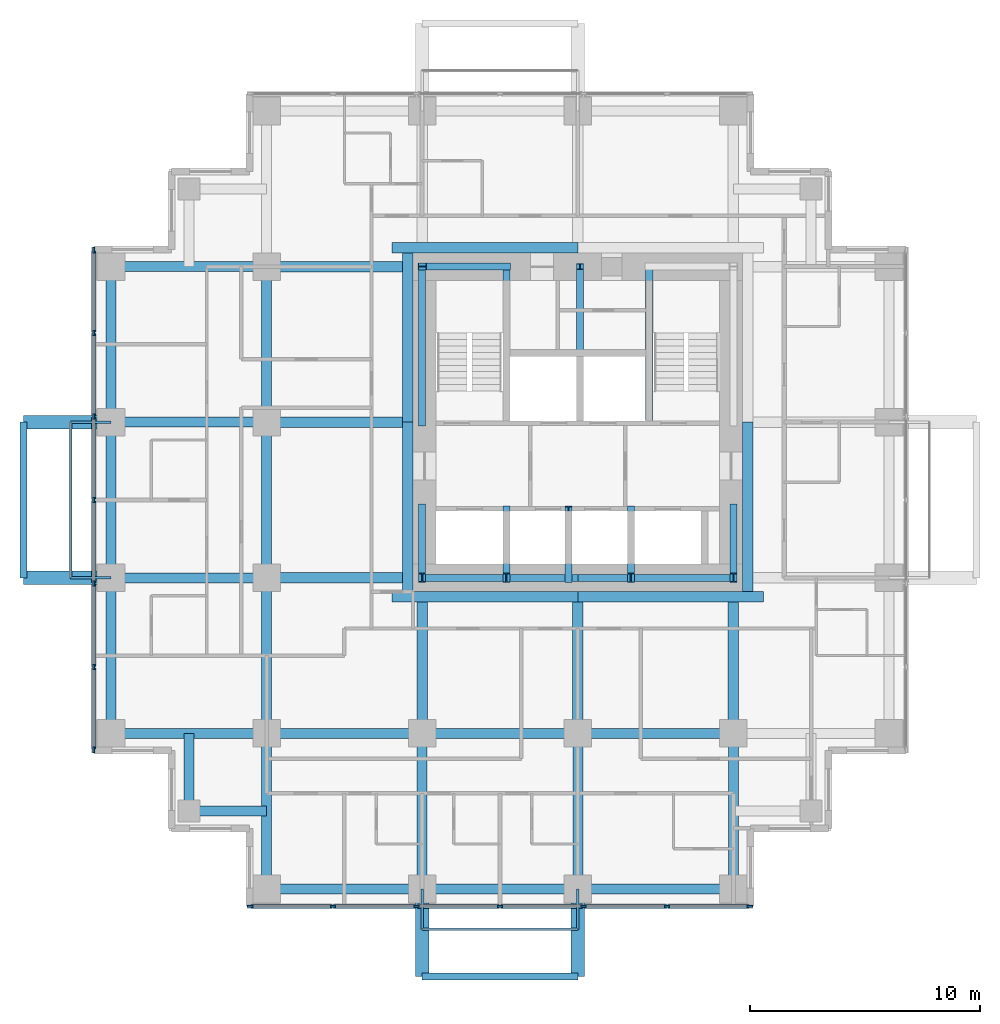
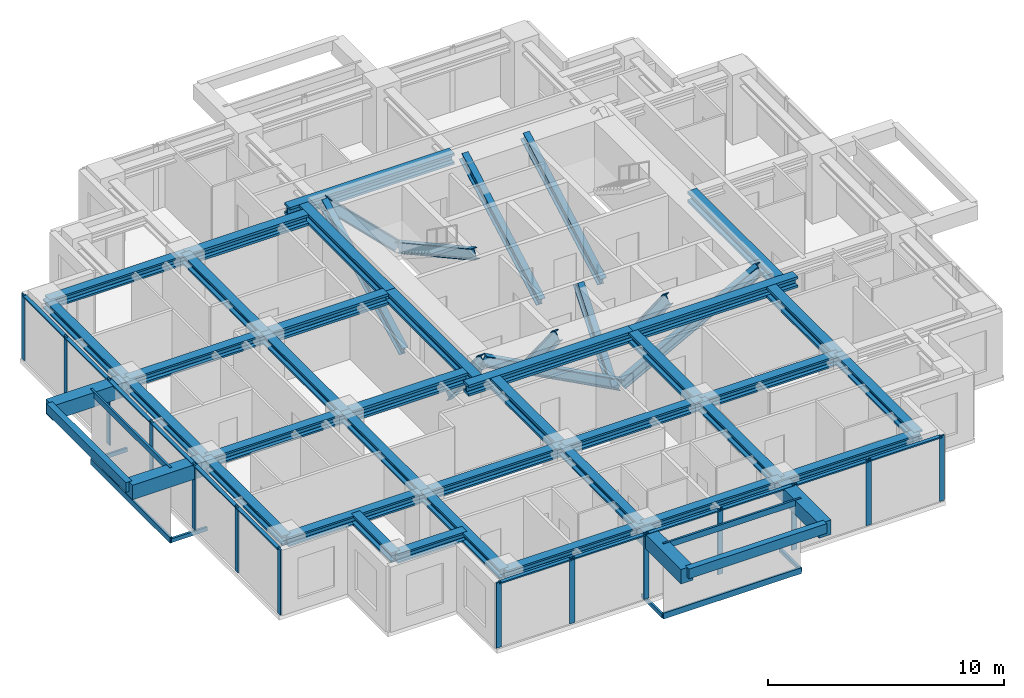
# One storey, part 2 of 10: 46 members, 40 beams, 2 elements without a shape of their own.
"""IFC4 building model written with IfcOpenShell, lengths in metres."""

from ifc_helpers import new_model, si_unit, direction, frame, origin, origin_2d, place, context, subcontext, project, spatial, rectangle, hollow_rectangle, i_section, extrude, material, material_profile, profile_set, type_object, element, aggregate, save


model = new_model("IFC4")

# Units and contexts
model_context = context("Model", 3, precision=1e-05, world=origin(), true_north=direction((0.0, 1.0)))
body_context = subcontext(model_context, "Body", "Model", "MODEL_VIEW")
ifc_project = project(units=[si_unit("LENGTHUNIT", "METRE"), si_unit("AREAUNIT", "SQUARE_METRE"), si_unit("VOLUMEUNIT", "CUBIC_METRE"), si_unit("PLANEANGLEUNIT", "RADIAN"), si_unit("MASSUNIT", "GRAM", prefix="KILO")], contexts=[model_context])

# Site, building, storey
site_placement = place(None, origin())
site = spatial("IfcSite", under=ifc_project, at=site_placement, CompositionType="ELEMENT")
building_placement = place(site_placement, origin())
building = spatial("IfcBuilding", under=site, at=building_placement, Name="Nyansa Garden Tower", CompositionType="ELEMENT")
storey_placement = place(building_placement, frame((0.0, 0.0, 174.60009765625)))
storey = spatial("IfcBuildingStorey", under=building, at=storey_placement, Name="L47", CompositionType="ELEMENT", Elevation=174.60009765625)

# Beams
ifc_material_1 = material(Name="Concrete C70/85", Category="concrete")
ifc_material_profile_1 = material_profile(ifc_material_1, rectangle(XDim=0.60009765625, YDim=0.75, at=origin_2d()), Name="RC 600x750")
ifc_profile_set_1 = profile_set([ifc_material_profile_1], Name="Concrete C70/85")
beam_type_1 = type_object("IfcBeamType", Name="Balcony cantilever beam CB1 RC 600x750", PredefinedType="BEAM", material=ifc_profile_set_1)
for number, where, z_axis, x_axis, name in (
    (1, (13.5, 0.0, 2.98486328125), (0.0, -1.0, 0.0), (1.0, 0.0, 0.0), "Balcony cantilever beam L48"),
    (2, (20.25, 0.0, 2.98486328125), (0.0, -1.0, 0.0), (1.0, 0.0, 0.0), "Balcony cantilever beam L48"),
    (3, (0.0, 13.5, 2.98486328125), (-1.0, 0.0, 0.0), (0.0, -1.0, 0.0), "Balcony cantilever beam L48"),
    (4, (0.0, 20.25, 2.98486328125), (-1.0, 0.0, 0.0), (0.0, -1.0, 0.0), "Balcony cantilever beam L48"),
):
    element("IfcBeam", number, at=place(storey_placement, frame(where, z_axis=z_axis, x_axis=x_axis)), inside=storey, type_object=beam_type_1, Name=name, PredefinedType="BEAM", context=body_context, shape_type="SweptSolid", body=[
        extrude(rectangle(XDim=0.60009765625, YDim=0.75, at=origin_2d()), origin(), (0.0, 0.0, 1.0), 3.800048828125),
    ])
ifc_material_2 = material(Name="Concrete C70/85", Category="concrete")
ifc_material_profile_2 = material_profile(ifc_material_2, rectangle(XDim=0.300048828125, YDim=0.5, at=origin_2d()), Name="RC 300x500")
ifc_profile_set_2 = profile_set([ifc_material_profile_2], Name="Concrete C70/85")
beam_type_2 = type_object("IfcBeamType", Name="Balcony edge beam BE1 RC 300x500", PredefinedType="BEAM", material=ifc_profile_set_2)
for number, where, z_axis, x_axis, name in (
    (5, (13.5, -3.800048828125, 3.10986328125), (1.0, 0.0, 0.0), (0.0, 1.0, 0.0), "Balcony edge beam L48"),
    (6, (-3.800048828125, 13.5, 3.10986328125), (0.0, 1.0, 0.0), (-1.0, 0.0, 0.0), "Balcony edge beam L48"),
):
    element("IfcBeam", number, at=place(storey_placement, frame(where, z_axis=z_axis, x_axis=x_axis)), inside=storey, type_object=beam_type_2, Name=name, PredefinedType="BEAM", context=body_context, shape_type="SweptSolid", body=[
        extrude(rectangle(XDim=0.300048828125, YDim=0.5, at=origin_2d()), origin(), (0.0, 0.0, 1.0), 6.75),
    ])

# Curtain wall, members
ifc_material_3 = material(Name="Black anodised aluminium, dark tinted double glazing", Category="aluminium")
curtain_wall_type = type_object("IfcCurtainWallType", Name="Inner skin curtain wall ISW-C", PredefinedType="USERDEFINED", material=ifc_material_3)
curtain_wall_1_placement = place(storey_placement, origin())
curtain_wall_1 = element("IfcCurtainWall", 7, at=curtain_wall_1_placement, inside=storey, type_object=curtain_wall_type, Name="Inner skin curtain wall L47 W", ObjectType="UNITISED CURTAIN WALL", PredefinedType="USERDEFINED")
ifc_material_4 = material(Name="Black anodised aluminium", Category="aluminium")
ifc_material_profile_3 = material_profile(ifc_material_4, rectangle(XDim=0.070068359375, YDim=0.25, at=origin_2d()), Name="Mullion 250x70")
ifc_profile_set_3 = profile_set([ifc_material_profile_3], Name="Black anodised aluminium")
member_type_1 = type_object("IfcMemberType", Name="Mullion ISW-C 250x70", PredefinedType="MULLION", material=ifc_profile_set_3)
member_1_placement = place(storey_placement, frame((-0.75, 27.715087890625, 0.0), z_axis=(0.0, 0.0, 1.0), x_axis=(1.0, 0.0, 0.0)))
member_1 = element("IfcMember", 8, at=member_1_placement, type_object=member_type_1, Name="ISW-C mullion 1", PredefinedType="MULLION", context=body_context, shape_type="SweptSolid", body=[
    extrude(rectangle(XDim=0.070068359375, YDim=0.25, at=origin_2d()), origin(), (0.0, 0.0, 1.0), 3.375),
])
member_2_placement = place(storey_placement, frame((-0.75, 24.125, 0.0), z_axis=(0.0, 0.0, 1.0), x_axis=(1.0, 0.0, 0.0)))
member_2 = element("IfcMember", 9, at=member_2_placement, type_object=member_type_1, Name="ISW-C mullion 2", PredefinedType="MULLION", context=body_context, shape_type="SweptSolid", body=[
    extrude(rectangle(XDim=0.070068359375, YDim=0.25, at=origin_2d()), origin(), (0.0, 0.0, 1.0), 3.375),
])
member_3_placement = place(storey_placement, frame((-0.75, 20.5, 0.0), z_axis=(0.0, 0.0, 1.0), x_axis=(1.0, 0.0, 0.0)))
member_3 = element("IfcMember", 10, at=member_3_placement, type_object=member_type_1, Name="ISW-C mullion 3", PredefinedType="MULLION", context=body_context, shape_type="SweptSolid", body=[
    extrude(rectangle(XDim=0.070068359375, YDim=0.25, at=origin_2d()), origin(), (0.0, 0.0, 1.0), 3.375),
])
member_4_placement = place(storey_placement, frame((-0.75, 16.875, 0.0), z_axis=(0.0, 0.0, 1.0), x_axis=(1.0, 0.0, 0.0)))
member_4 = element("IfcMember", 11, at=member_4_placement, type_object=member_type_1, Name="ISW-C mullion 4", PredefinedType="MULLION", context=body_context, shape_type="SweptSolid", body=[
    extrude(rectangle(XDim=0.070068359375, YDim=0.25, at=origin_2d()), origin(), (0.0, 0.0, 1.0), 3.375),
])
member_5_placement = place(storey_placement, frame((-0.75, 13.25, 0.0), z_axis=(0.0, 0.0, 1.0), x_axis=(1.0, 0.0, 0.0)))
member_5 = element("IfcMember", 12, at=member_5_placement, type_object=member_type_1, Name="ISW-C mullion 5", PredefinedType="MULLION", context=body_context, shape_type="SweptSolid", body=[
    extrude(rectangle(XDim=0.070068359375, YDim=0.25, at=origin_2d()), origin(), (0.0, 0.0, 1.0), 3.375),
])
member_6_placement = place(storey_placement, frame((-0.75, 9.625, 0.0), z_axis=(0.0, 0.0, 1.0), x_axis=(1.0, 0.0, 0.0)))
member_6 = element("IfcMember", 13, at=member_6_placement, type_object=member_type_1, Name="ISW-C mullion 6", PredefinedType="MULLION", context=body_context, shape_type="SweptSolid", body=[
    extrude(rectangle(XDim=0.070068359375, YDim=0.25, at=origin_2d()), origin(), (0.0, 0.0, 1.0), 3.375),
])
member_7_placement = place(storey_placement, frame((-0.75, 6.034912109375, 0.0), z_axis=(0.0, 0.0, 1.0), x_axis=(1.0, 0.0, 0.0)))
member_7 = element("IfcMember", 14, at=member_7_placement, type_object=member_type_1, Name="ISW-C mullion 7", PredefinedType="MULLION", context=body_context, shape_type="SweptSolid", body=[
    extrude(rectangle(XDim=0.070068359375, YDim=0.25, at=origin_2d()), origin(), (0.0, 0.0, 1.0), 3.375),
])

curtain_wall_2_placement = place(storey_placement, origin())
curtain_wall_2 = element("IfcCurtainWall", 15, at=curtain_wall_2_placement, inside=storey, type_object=curtain_wall_type, Name="Inner skin curtain wall L47 S", ObjectType="UNITISED CURTAIN WALL", PredefinedType="USERDEFINED")
member_8_placement = place(storey_placement, frame((6.034912109375, -0.75, 0.0), z_axis=(0.0, 0.0, 1.0), x_axis=(0.0, 1.0, 0.0)))
member_8 = element("IfcMember", 16, at=member_8_placement, type_object=member_type_1, Name="ISW-C mullion 1", PredefinedType="MULLION", context=body_context, shape_type="SweptSolid", body=[
    extrude(rectangle(XDim=0.070068359375, YDim=0.25, at=origin_2d()), origin(), (0.0, 0.0, 1.0), 3.375),
])
member_9_placement = place(storey_placement, frame((9.625, -0.75, 0.0), z_axis=(0.0, 0.0, 1.0), x_axis=(0.0, 1.0, 0.0)))
member_9 = element("IfcMember", 17, at=member_9_placement, type_object=member_type_1, Name="ISW-C mullion 2", PredefinedType="MULLION", context=body_context, shape_type="SweptSolid", body=[
    extrude(rectangle(XDim=0.070068359375, YDim=0.25, at=origin_2d()), origin(), (0.0, 0.0, 1.0), 3.375),
])
member_10_placement = place(storey_placement, frame((13.25, -0.75, 0.0), z_axis=(0.0, 0.0, 1.0), x_axis=(0.0, 1.0, 0.0)))
member_10 = element("IfcMember", 18, at=member_10_placement, type_object=member_type_1, Name="ISW-C mullion 3", PredefinedType="MULLION", context=body_context, shape_type="SweptSolid", body=[
    extrude(rectangle(XDim=0.070068359375, YDim=0.25, at=origin_2d()), origin(), (0.0, 0.0, 1.0), 3.375),
])
member_11_placement = place(storey_placement, frame((16.875, -0.75, 0.0), z_axis=(0.0, 0.0, 1.0), x_axis=(0.0, 1.0, 0.0)))
member_11 = element("IfcMember", 19, at=member_11_placement, type_object=member_type_1, Name="ISW-C mullion 4", PredefinedType="MULLION", context=body_context, shape_type="SweptSolid", body=[
    extrude(rectangle(XDim=0.070068359375, YDim=0.25, at=origin_2d()), origin(), (0.0, 0.0, 1.0), 3.375),
])
member_12_placement = place(storey_placement, frame((20.5, -0.75, 0.0), z_axis=(0.0, 0.0, 1.0), x_axis=(0.0, 1.0, 0.0)))
member_12 = element("IfcMember", 20, at=member_12_placement, type_object=member_type_1, Name="ISW-C mullion 5", PredefinedType="MULLION", context=body_context, shape_type="SweptSolid", body=[
    extrude(rectangle(XDim=0.070068359375, YDim=0.25, at=origin_2d()), origin(), (0.0, 0.0, 1.0), 3.375),
])
member_13_placement = place(storey_placement, frame((24.125, -0.75, 0.0), z_axis=(0.0, 0.0, 1.0), x_axis=(0.0, 1.0, 0.0)))
member_13 = element("IfcMember", 21, at=member_13_placement, type_object=member_type_1, Name="ISW-C mullion 6", PredefinedType="MULLION", context=body_context, shape_type="SweptSolid", body=[
    extrude(rectangle(XDim=0.070068359375, YDim=0.25, at=origin_2d()), origin(), (0.0, 0.0, 1.0), 3.375),
])
member_14_placement = place(storey_placement, frame((27.715087890625, -0.75, 0.0), z_axis=(0.0, 0.0, 1.0), x_axis=(0.0, 1.0, 0.0)))
member_14 = element("IfcMember", 22, at=member_14_placement, type_object=member_type_1, Name="ISW-C mullion 7", PredefinedType="MULLION", context=body_context, shape_type="SweptSolid", body=[
    extrude(rectangle(XDim=0.070068359375, YDim=0.25, at=origin_2d()), origin(), (0.0, 0.0, 1.0), 3.375),
])

# Members
ifc_material_5 = material(Name="Steel S355, black powder coated", Category="steel")
ifc_material_profile_4 = material_profile(ifc_material_5, hollow_rectangle(XDim=0.10009765625, YDim=0.199951171875, WallThickness=0.008056640625, at=origin_2d()), Name="RHS 200x100x8")
ifc_profile_set_4 = profile_set([ifc_material_profile_4], Name="Steel S355, black powder coated")
member_type_2 = type_object("IfcMemberType", Name="Outer skin bracket arm RHS 200x100x8", PredefinedType="USERDEFINED", material=ifc_profile_set_4)
for number, where, z_axis, x_axis, name in (
    (23, (0.0, 13.5, -0.375), (-1.0, 0.0, 0.0), (0.0, -1.0, 0.0), "Outer skin bracket arm"),
    (24, (0.0, 20.25, -0.375), (-1.0, 0.0, 0.0), (0.0, -1.0, 0.0), "Outer skin bracket arm"),
    (25, (13.5, 0.0, -0.375), (0.0, -1.0, 0.0), (1.0, 0.0, 0.0), "Outer skin bracket arm"),
    (26, (20.25, 0.0, -0.375), (0.0, -1.0, 0.0), (1.0, 0.0, 0.0), "Outer skin bracket arm"),
):
    element("IfcMember", number, at=place(storey_placement, frame(where, z_axis=z_axis, x_axis=x_axis)), inside=storey, type_object=member_type_2, Name=name, ObjectType="OUTER SKIN BRACKET", PredefinedType="USERDEFINED", context=body_context, shape_type="SweptSolid", body=[
        extrude(hollow_rectangle(XDim=0.10009765625, YDim=0.199951171875, WallThickness=0.008056640625, at=origin_2d()), origin(), (0.0, 0.0, 1.0), 1.75),
    ])
ifc_material_6 = material(Name="Steel S355, black powder coated", Category="steel")
ifc_material_profile_5 = material_profile(ifc_material_6, hollow_rectangle(XDim=0.10009765625, YDim=0.300048828125, WallThickness=0.010009765625, at=origin_2d()), Name="RHS 300x100x10")
ifc_profile_set_5 = profile_set([ifc_material_profile_5], Name="Steel S355, black powder coated")
member_type_3 = type_object("IfcMemberType", Name="Outer skin rail RHS 300x100x10", PredefinedType="USERDEFINED", material=ifc_profile_set_5)
for number, where, z_axis, x_axis, name in (
    (27, (-1.75, 13.5, -0.375), (0.0, 1.0, 0.0), (-1.0, 0.0, 0.0), "Outer skin rail L47"),
    (28, (-1.75, 13.5, 3.224853515625), (0.0, 1.0, 0.0), (-1.0, 0.0, 0.0), "Outer skin rail L47 head"),
    (29, (13.5, -1.75, -0.375), (1.0, 0.0, 0.0), (0.0, 1.0, 0.0), "Outer skin rail L47"),
    (30, (13.5, -1.75, 3.224853515625), (1.0, 0.0, 0.0), (0.0, 1.0, 0.0), "Outer skin rail L47 head"),
):
    element("IfcMember", number, at=place(storey_placement, frame(where, z_axis=z_axis, x_axis=x_axis)), inside=storey, type_object=member_type_3, Name=name, ObjectType="OUTER SKIN RAIL", PredefinedType="USERDEFINED", context=body_context, shape_type="SweptSolid", body=[
        extrude(hollow_rectangle(XDim=0.10009765625, YDim=0.300048828125, WallThickness=0.010009765625, at=origin_2d()), origin(), (0.0, 0.0, 1.0), 6.75),
    ])
ifc_material_7 = material(Name="Steel S355", Category="steel")
ifc_material_profile_6 = material_profile(ifc_material_7, i_section(OverallWidth=0.305908203125, OverallDepth=0.52392578125, WebThickness=0.02099609375, FlangeThickness=0.0400390625, FilletRadius=0.027099609375, at=origin_2d()), Name="HE 500 M")
ifc_profile_set_6 = profile_set([ifc_material_profile_6], Name="Steel S355")
member_type_4 = type_object("IfcMemberType", Name="Perimeter brace HE 500 M", PredefinedType="BRACE", material=ifc_profile_set_6)
for number, where, z_axis, x_axis, name in (
    (31, (20.25, 13.5, 0.0), (-0.882360891967, 0.0, 0.470573327259), (0.0, -1.0, 0.0), "Core brace CS1 L47"),
    (32, (20.25, 13.5, 0.0), (0.882360891967, 0.0, 0.470573327259), (0.0, 1.0, 0.0), "Core brace CS2 L47"),
):
    element("IfcMember", number, at=place(storey_placement, frame(where, z_axis=z_axis, x_axis=x_axis)), inside=storey, type_object=member_type_4, Name=name, PredefinedType="BRACE", context=body_context, shape_type="SweptSolid", body=[
        extrude(i_section(OverallWidth=0.305908203125, OverallDepth=0.52392578125, WebThickness=0.02099609375, FlangeThickness=0.0400390625, FilletRadius=0.027099609375, at=origin_2d()), origin(), (0.0, 0.0, 1.0), 7.64990234375),
    ])
member_15_placement = place(storey_placement, frame((17.14990234375, 27.0, 0.0), z_axis=(-0.711971340796, 0.0, 0.702208523079), x_axis=(0.0, -1.0, 0.0)))
element("IfcMember", 33, at=member_15_placement, inside=storey, type_object=member_type_4, Name="Core brace CN3 L47", PredefinedType="BRACE", context=body_context, shape_type="SweptSolid", body=[
    extrude(i_section(OverallWidth=0.305908203125, OverallDepth=0.52392578125, WebThickness=0.02099609375, FlangeThickness=0.0400390625, FilletRadius=0.027099609375, at=origin_2d()), origin(), (0.0, 0.0, 1.0), 5.12646484375),
])
member_16_placement = place(storey_placement, frame((13.5, 16.5, 0.0), z_axis=(0.0, -0.640199773186, 0.768208468069), x_axis=(1.0, 0.0, 0.0)))
element("IfcMember", 34, at=member_16_placement, inside=storey, type_object=member_type_4, Name="Core brace CW5 L47", PredefinedType="BRACE", context=body_context, shape_type="SweptSolid", body=[
    extrude(i_section(OverallWidth=0.305908203125, OverallDepth=0.52392578125, WebThickness=0.02099609375, FlangeThickness=0.0400390625, FilletRadius=0.027099609375, at=origin_2d()), origin(), (0.0, 0.0, 1.0), 4.68603515625),
])
member_17_placement = place(storey_placement, frame((13.5, 20.199951171875, 0.0), z_axis=(0.0, 0.883797178129, 0.467870225524), x_axis=(-1.0, 0.0, 0.0)))
element("IfcMember", 35, at=member_17_placement, inside=storey, type_object=member_type_4, Name="Core brace CW6 L47", PredefinedType="BRACE", context=body_context, shape_type="SweptSolid", body=[
    extrude(i_section(OverallWidth=0.305908203125, OverallDepth=0.52392578125, WebThickness=0.02099609375, FlangeThickness=0.0400390625, FilletRadius=0.027099609375, at=origin_2d()), origin(), (0.0, 0.0, 1.0), 7.694091796875),
])
member_18_placement = place(storey_placement, frame((27.0, 16.5, 0.0), z_axis=(0.0, -0.640199773186, 0.768208468069), x_axis=(1.0, 0.0, 0.0)))
element("IfcMember", 36, at=member_18_placement, inside=storey, type_object=member_type_4, Name="Core brace CE7 L47", PredefinedType="BRACE", context=body_context, shape_type="SweptSolid", body=[
    extrude(i_section(OverallWidth=0.305908203125, OverallDepth=0.52392578125, WebThickness=0.02099609375, FlangeThickness=0.0400390625, FilletRadius=0.027099609375, at=origin_2d()), origin(), (0.0, 0.0, 1.0), 4.68603515625),
])
for number, where, z_axis, x_axis, name in (
    (37, (17.14990234375, 27.0, 0.0), (0.0, -0.876366901673, 0.481644115143), (1.0, 0.0, 0.0), "Core brace CWS9 L47"),
    (38, (23.35009765625, 20.449951171875, 0.0), (0.0, 0.876366901673, 0.481644115143), (-1.0, 0.0, 0.0), "Core brace CES10 L47"),
):
    element("IfcMember", number, at=place(storey_placement, frame(where, z_axis=z_axis, x_axis=x_axis)), inside=storey, type_object=member_type_4, Name=name, PredefinedType="BRACE", context=body_context, shape_type="SweptSolid", body=[
        extrude(i_section(OverallWidth=0.305908203125, OverallDepth=0.52392578125, WebThickness=0.02099609375, FlangeThickness=0.0400390625, FilletRadius=0.027099609375, at=origin_2d()), origin(), (0.0, 0.0, 1.0), 7.47412109375),
    ])
for number, where, z_axis, x_axis, name in (
    (39, (17.14990234375, 16.39990234375, 0.0), (0.0, -0.627332207022, 0.778751758928), (1.0, 0.0, 0.0), "Core brace CSW11 L47"),
    (40, (19.85009765625, 13.5, 0.0), (0.0, 0.627332207022, 0.778751758928), (-1.0, 0.0, 0.0), "Core brace CSW12 L47"),
    (41, (22.550048828125, 16.39990234375, 0.0), (0.0, -0.627332207022, 0.778751758928), (1.0, 0.0, 0.0), "Core brace CSW13 L47"),
):
    element("IfcMember", number, at=place(storey_placement, frame(where, z_axis=z_axis, x_axis=x_axis)), inside=storey, type_object=member_type_4, Name=name, PredefinedType="BRACE", context=body_context, shape_type="SweptSolid", body=[
        extrude(i_section(OverallWidth=0.305908203125, OverallDepth=0.52392578125, WebThickness=0.02099609375, FlangeThickness=0.0400390625, FilletRadius=0.027099609375, at=origin_2d()), origin(), (0.0, 0.0, 1.0), 4.62255859375),
    ])
member_19_placement = place(storey_placement, frame((20.35009765625, 20.449951171875, 0.0), z_axis=(0.0, 0.876366901673, 0.481644115143), x_axis=(-1.0, 0.0, 0.0)))
element("IfcMember", 42, at=member_19_placement, inside=storey, type_object=member_type_4, Name="Core brace CNW14 L47", PredefinedType="BRACE", context=body_context, shape_type="SweptSolid", body=[
    extrude(i_section(OverallWidth=0.305908203125, OverallDepth=0.52392578125, WebThickness=0.02099609375, FlangeThickness=0.0400390625, FilletRadius=0.027099609375, at=origin_2d()), origin(), (0.0, 0.0, 1.0), 7.47412109375),
])

# Beams
ifc_material_8 = material(Name="Steel S355", Category="steel")
ifc_material_profile_7 = material_profile(ifc_material_8, i_section(OverallWidth=0.431884765625, OverallDepth=0.498046875, WebThickness=0.0556640625, FlangeThickness=0.0888671875, FilletRadius=0.014892578125, at=origin_2d()), Name="HD 400x744")
ifc_profile_set_7 = profile_set([ifc_material_profile_7], Name="Steel S355")
beam_type_3 = type_object("IfcBeamType", Name="Steel beam SBC1-744 HD 400x744", PredefinedType="BEAM", material=ifc_profile_set_7)
for number, where, z_axis, x_axis, name in (
    (43, (0.0, 6.75, 3.1259765625), (1.0, 0.0, 0.0), (0.0, 1.0, 0.0), "Steel beam 2/E-3/E L48"),
    (44, (0.0, 13.5, 3.1259765625), (1.0, 0.0, 0.0), (0.0, 1.0, 0.0), "Steel beam 2/F-3/F L48"),
    (45, (0.0, 20.25, 3.1259765625), (1.0, 0.0, 0.0), (0.0, 1.0, 0.0), "Steel beam 2/G-3/G L48"),
    (46, (0.0, 27.0, 3.1259765625), (1.0, 0.0, 0.0), (0.0, 1.0, 0.0), "Steel beam 2/H-3/H L48"),
    (47, (6.75, 0.0, 3.1259765625), (0.0, 1.0, 0.0), (-1.0, 0.0, 0.0), "Steel beam 3/D-3/E L48"),
    (48, (6.75, 6.75, 3.1259765625), (0.0, 1.0, 0.0), (-1.0, 0.0, 0.0), "Steel beam 3/E-3/F L48"),
    (49, (6.75, 6.75, 3.1259765625), (1.0, 0.0, 0.0), (0.0, 1.0, 0.0), "Steel beam 3/E-4/E L48"),
    (50, (6.75, 13.5, 3.1259765625), (0.0, 1.0, 0.0), (-1.0, 0.0, 0.0), "Steel beam 3/F-3/G L48"),
    (51, (6.75, 20.25, 3.1259765625), (0.0, 1.0, 0.0), (-1.0, 0.0, 0.0), "Steel beam 3/G-3/H L48"),
    (52, (13.5, 0.0, 3.1259765625), (0.0, 1.0, 0.0), (-1.0, 0.0, 0.0), "Steel beam 4/D-4/E L48"),
    (53, (13.5, 6.75, 3.1259765625), (1.0, 0.0, 0.0), (0.0, 1.0, 0.0), "Steel beam 4/E-5/E L48"),
    (54, (20.25, 0.0, 3.1259765625), (0.0, 1.0, 0.0), (-1.0, 0.0, 0.0), "Steel beam 5/D-5/E L48"),
    (55, (20.25, 6.75, 3.1259765625), (1.0, 0.0, 0.0), (0.0, 1.0, 0.0), "Steel beam 5/E-6/E L48"),
    (56, (27.0, 0.0, 3.1259765625), (0.0, 1.0, 0.0), (-1.0, 0.0, 0.0), "Steel beam 6/D-6/E L48"),
):
    element("IfcBeam", number, at=place(storey_placement, frame(where, z_axis=z_axis, x_axis=x_axis)), inside=storey, type_object=beam_type_3, Name=name, PredefinedType="BEAM", context=body_context, shape_type="SweptSolid", body=[
        extrude(i_section(OverallWidth=0.431884765625, OverallDepth=0.498046875, WebThickness=0.0556640625, FlangeThickness=0.0888671875, FilletRadius=0.014892578125, at=origin_2d()), origin(), (0.0, 0.0, 1.0), 6.75),
    ])
ifc_material_9 = material(Name="Steel S355", Category="steel")
ifc_material_profile_8 = material_profile(ifc_material_9, i_section(OverallWidth=0.4541015625, OverallDepth=0.569091796875, WebThickness=0.077880859375, FlangeThickness=0.125, FilletRadius=0.014892578125, at=origin_2d()), Name="HD 400x1086")
ifc_profile_set_8 = profile_set([ifc_material_profile_8], Name="Steel S355")
beam_type_4 = type_object("IfcBeamType", Name="Steel beam SCL-1086 HD 400x1086", PredefinedType="BEAM", material=ifc_profile_set_8)
for number, where, z_axis, x_axis, name in (
    (57, (6.75, 13.5, 3.09033203125), (1.0, 0.0, 0.0), (0.0, 1.0, 0.0), "Steel beam 3/F-12.650/F L48"),
    (58, (6.75, 20.25, 3.09033203125), (1.0, 0.0, 0.0), (0.0, 1.0, 0.0), "Steel beam 3/G-12.650/G L48"),
    (59, (6.75, 27.0, 3.09033203125), (1.0, 0.0, 0.0), (0.0, 1.0, 0.0), "Steel beam 3/H-12.650/H L48"),
):
    element("IfcBeam", number, at=place(storey_placement, frame(where, z_axis=z_axis, x_axis=x_axis)), inside=storey, type_object=beam_type_4, Name=name, PredefinedType="BEAM", context=body_context, shape_type="SweptSolid", body=[
        extrude(i_section(OverallWidth=0.4541015625, OverallDepth=0.569091796875, WebThickness=0.077880859375, FlangeThickness=0.125, FilletRadius=0.014892578125, at=origin_2d()), origin(), (0.0, 0.0, 1.0), 5.89990234375),
    ])
for number, where, z_axis, x_axis, name in (
    (60, (13.5, 6.75, 3.09033203125), (0.0, 1.0, 0.0), (-1.0, 0.0, 0.0), "Steel beam 4/E-4/12.450 L48"),
    (61, (20.25, 6.75, 3.09033203125), (0.0, 1.0, 0.0), (-1.0, 0.0, 0.0), "Steel beam 5/E-5/12.450 L48"),
    (62, (27.0, 6.75, 3.09033203125), (0.0, 1.0, 0.0), (-1.0, 0.0, 0.0), "Steel beam 6/E-6/12.450 L48"),
):
    element("IfcBeam", number, at=place(storey_placement, frame(where, z_axis=z_axis, x_axis=x_axis)), inside=storey, type_object=beam_type_4, Name=name, PredefinedType="BEAM", context=body_context, shape_type="SweptSolid", body=[
        extrude(i_section(OverallWidth=0.4541015625, OverallDepth=0.569091796875, WebThickness=0.077880859375, FlangeThickness=0.125, FilletRadius=0.014892578125, at=origin_2d()), origin(), (0.0, 0.0, 1.0), 5.699951171875),
    ])
for number, where, z_axis, x_axis, name in (
    (63, (12.199951171875, 12.673095703125, 3.09033203125), (1.0, 0.0, 0.0), (0.0, 1.0, 0.0), "Steel core ledger beam S.1 L48"),
    (64, (20.25, 12.673095703125, 3.09033203125), (1.0, 0.0, 0.0), (0.0, 1.0, 0.0), "Steel core ledger beam S.2 L48"),
):
    element("IfcBeam", number, at=place(storey_placement, frame(where, z_axis=z_axis, x_axis=x_axis)), inside=storey, type_object=beam_type_4, Name=name, PredefinedType="BEAM", context=body_context, shape_type="SweptSolid", body=[
        extrude(i_section(OverallWidth=0.4541015625, OverallDepth=0.569091796875, WebThickness=0.077880859375, FlangeThickness=0.125, FilletRadius=0.014892578125, at=origin_2d()), origin(), (0.0, 0.0, 1.0), 8.050048828125),
    ])
beam_1_placement = place(storey_placement, frame((27.626953125, 12.89990234375, 3.09033203125), z_axis=(0.0, 1.0, 0.0), x_axis=(-1.0, 0.0, 0.0)))
element("IfcBeam", 65, at=beam_1_placement, inside=storey, type_object=beam_type_4, Name="Steel core ledger beam E.1 L48", PredefinedType="BEAM", context=body_context, shape_type="SweptSolid", body=[
    extrude(i_section(OverallWidth=0.4541015625, OverallDepth=0.569091796875, WebThickness=0.077880859375, FlangeThickness=0.125, FilletRadius=0.014892578125, at=origin_2d()), origin(), (0.0, 0.0, 1.0), 7.35009765625),
])
beam_2_placement = place(storey_placement, frame((20.25, 27.826904296875, 3.09033203125), z_axis=(-1.0, 0.0, 0.0), x_axis=(0.0, -1.0, 0.0)))
element("IfcBeam", 66, at=beam_2_placement, inside=storey, type_object=beam_type_4, Name="Steel core ledger beam N.2 L48", PredefinedType="BEAM", context=body_context, shape_type="SweptSolid", body=[
    extrude(i_section(OverallWidth=0.4541015625, OverallDepth=0.569091796875, WebThickness=0.077880859375, FlangeThickness=0.125, FilletRadius=0.014892578125, at=origin_2d()), origin(), (0.0, 0.0, 1.0), 8.050048828125),
])
for number, where, z_axis, x_axis, name in (
    (67, (12.873046875, 27.60009765625, 3.09033203125), (0.0, -1.0, 0.0), (1.0, 0.0, 0.0), "Steel core ledger beam W.1 L48"),
    (68, (12.873046875, 20.25, 3.09033203125), (0.0, -1.0, 0.0), (1.0, 0.0, 0.0), "Steel core ledger beam W.2 L48"),
):
    element("IfcBeam", number, at=place(storey_placement, frame(where, z_axis=z_axis, x_axis=x_axis)), inside=storey, type_object=beam_type_4, Name=name, PredefinedType="BEAM", context=body_context, shape_type="SweptSolid", body=[
        extrude(i_section(OverallWidth=0.4541015625, OverallDepth=0.569091796875, WebThickness=0.077880859375, FlangeThickness=0.125, FilletRadius=0.014892578125, at=origin_2d()), origin(), (0.0, 0.0, 1.0), 7.35009765625),
    ])
ifc_material_10 = material(Name="Steel S355", Category="steel")
ifc_material_profile_9 = material_profile(ifc_material_10, i_section(OverallWidth=0.431884765625, OverallDepth=0.498046875, WebThickness=0.0556640625, FlangeThickness=0.0888671875, FilletRadius=0.014892578125, at=origin_2d()), Name="HD 400x744")
ifc_profile_set_9 = profile_set([ifc_material_profile_9], Name="Steel S355")
beam_type_5 = type_object("IfcBeamType", Name="Steel beam SEBC-744 HD 400x744", PredefinedType="BEAM", material=ifc_profile_set_9)
for number, where, z_axis, x_axis, name in (
    (69, (0.0, 6.75, 3.1259765625), (0.0, 1.0, 0.0), (-1.0, 0.0, 0.0), "Steel edge beam 2/E-2/F L48"),
    (70, (0.0, 13.5, 3.1259765625), (0.0, 1.0, 0.0), (-1.0, 0.0, 0.0), "Steel edge beam 2/F-2/G L48"),
    (71, (0.0, 20.25, 3.1259765625), (0.0, 1.0, 0.0), (-1.0, 0.0, 0.0), "Steel edge beam 2/G-2/H L48"),
    (72, (6.75, 0.0, 3.1259765625), (1.0, 0.0, 0.0), (0.0, 1.0, 0.0), "Steel edge beam 3/D-4/D L48"),
    (73, (13.5, 0.0, 3.1259765625), (1.0, 0.0, 0.0), (0.0, 1.0, 0.0), "Steel edge beam 4/D-5/D L48"),
    (74, (20.25, 0.0, 3.1259765625), (1.0, 0.0, 0.0), (0.0, 1.0, 0.0), "Steel edge beam 5/D-6/D L48"),
):
    element("IfcBeam", number, at=place(storey_placement, frame(where, z_axis=z_axis, x_axis=x_axis)), inside=storey, type_object=beam_type_5, Name=name, PredefinedType="BEAM", context=body_context, shape_type="SweptSolid", body=[
        extrude(i_section(OverallWidth=0.431884765625, OverallDepth=0.498046875, WebThickness=0.0556640625, FlangeThickness=0.0888671875, FilletRadius=0.014892578125, at=origin_2d()), origin(), (0.0, 0.0, 1.0), 6.75),
    ])
ifc_material_11 = material(Name="Steel S355", Category="steel")
ifc_material_profile_10 = material_profile(ifc_material_11, i_section(OverallWidth=0.431884765625, OverallDepth=0.498046875, WebThickness=0.0556640625, FlangeThickness=0.0888671875, FilletRadius=0.014892578125, at=origin_2d()), Name="HD 400x744")
ifc_profile_set_10 = profile_set([ifc_material_profile_10], Name="Steel S355")
beam_type_6 = type_object("IfcBeamType", Name="Steel beam SSB1-744 HD 400x744", PredefinedType="BEAM", material=ifc_profile_set_10)
for number, where, z_axis, x_axis, name in (
    (75, (3.375, 3.375, 3.1259765625), (0.0, 1.0, 0.0), (-1.0, 0.0, 0.0), "Steel step beam 3.375/3.375 L48"),
    (76, (3.375, 3.375, 3.1259765625), (1.0, 0.0, 0.0), (0.0, 1.0, 0.0), "Steel step beam 3.375/3.375 L48"),
):
    element("IfcBeam", number, at=place(storey_placement, frame(where, z_axis=z_axis, x_axis=x_axis)), inside=storey, type_object=beam_type_6, Name=name, PredefinedType="BEAM", context=body_context, shape_type="SweptSolid", body=[
        extrude(i_section(OverallWidth=0.431884765625, OverallDepth=0.498046875, WebThickness=0.0556640625, FlangeThickness=0.0888671875, FilletRadius=0.014892578125, at=origin_2d()), origin(), (0.0, 0.0, 1.0), 3.375),
    ])

# Member
ifc_material_12 = material(Name="Black anodised aluminium", Category="aluminium")
ifc_material_profile_11 = material_profile(ifc_material_12, rectangle(XDim=0.179931640625, YDim=0.070068359375, at=origin_2d()), Name="Transom 180x70")
ifc_profile_set_11 = profile_set([ifc_material_profile_11], Name="Black anodised aluminium")
member_type_5 = type_object("IfcMemberType", Name="Transom ISW-C 180x70", PredefinedType="USERDEFINED", material=ifc_profile_set_11)
member_20_placement = place(storey_placement, frame((-0.75, 27.679931640625, 3.33984375), z_axis=(0.0, -1.0, 0.0), x_axis=(1.0, 0.0, 0.0)))
member_20 = element("IfcMember", 77, at=member_20_placement, type_object=member_type_5, Name="ISW-C transom 1", ObjectType="TRANSOM", PredefinedType="USERDEFINED", context=body_context, shape_type="SweptSolid", body=[
    extrude(rectangle(XDim=0.179931640625, YDim=0.070068359375, at=origin_2d()), origin(), (0.0, 0.0, 1.0), 3.52001953125),
])

member_21_placement = place(storey_placement, frame((-0.75, 24.090087890625, 3.33984375), z_axis=(0.0, -1.0, 0.0), x_axis=(1.0, 0.0, 0.0)))
member_21 = element("IfcMember", 78, at=member_21_placement, type_object=member_type_5, Name="ISW-C transom 2", ObjectType="TRANSOM", PredefinedType="USERDEFINED", context=body_context, shape_type="SweptSolid", body=[
    extrude(rectangle(XDim=0.179931640625, YDim=0.070068359375, at=origin_2d()), origin(), (0.0, 0.0, 1.0), 3.55517578125),
])

member_22_placement = place(storey_placement, frame((-0.75, 20.465087890625, 3.33984375), z_axis=(0.0, -1.0, 0.0), x_axis=(1.0, 0.0, 0.0)))
member_22 = element("IfcMember", 79, at=member_22_placement, type_object=member_type_5, Name="ISW-C transom 3", ObjectType="TRANSOM", PredefinedType="USERDEFINED", context=body_context, shape_type="SweptSolid", body=[
    extrude(rectangle(XDim=0.179931640625, YDim=0.070068359375, at=origin_2d()), origin(), (0.0, 0.0, 1.0), 3.55517578125),
])

member_23_placement = place(storey_placement, frame((-0.75, 16.840087890625, 3.33984375), z_axis=(0.0, -1.0, 0.0), x_axis=(1.0, 0.0, 0.0)))
member_23 = element("IfcMember", 80, at=member_23_placement, type_object=member_type_5, Name="ISW-C transom 4", ObjectType="TRANSOM", PredefinedType="USERDEFINED", context=body_context, shape_type="SweptSolid", body=[
    extrude(rectangle(XDim=0.179931640625, YDim=0.070068359375, at=origin_2d()), origin(), (0.0, 0.0, 1.0), 3.55517578125),
])

member_24_placement = place(storey_placement, frame((-0.75, 13.215087890625, 3.33984375), z_axis=(0.0, -1.0, 0.0), x_axis=(1.0, 0.0, 0.0)))
member_24 = element("IfcMember", 81, at=member_24_placement, type_object=member_type_5, Name="ISW-C transom 5", ObjectType="TRANSOM", PredefinedType="USERDEFINED", context=body_context, shape_type="SweptSolid", body=[
    extrude(rectangle(XDim=0.179931640625, YDim=0.070068359375, at=origin_2d()), origin(), (0.0, 0.0, 1.0), 3.55517578125),
])

member_25_placement = place(storey_placement, frame((-0.75, 9.590087890625, 3.33984375), z_axis=(0.0, -1.0, 0.0), x_axis=(1.0, 0.0, 0.0)))
member_25 = element("IfcMember", 82, at=member_25_placement, type_object=member_type_5, Name="ISW-C transom 6", ObjectType="TRANSOM", PredefinedType="USERDEFINED", context=body_context, shape_type="SweptSolid", body=[
    extrude(rectangle(XDim=0.179931640625, YDim=0.070068359375, at=origin_2d()), origin(), (0.0, 0.0, 1.0), 3.52001953125),
])

aggregate(curtain_wall_1, [member_1, member_2, member_3, member_4, member_5, member_6, member_7, member_20, member_21, member_22, member_23, member_24, member_25])

member_26_placement = place(storey_placement, frame((6.070068359375, -0.75, 3.33984375), z_axis=(1.0, 0.0, 0.0), x_axis=(0.0, 1.0, 0.0)))
member_26 = element("IfcMember", 83, at=member_26_placement, type_object=member_type_5, Name="ISW-C transom 1", ObjectType="TRANSOM", PredefinedType="USERDEFINED", context=body_context, shape_type="SweptSolid", body=[
    extrude(rectangle(XDim=0.179931640625, YDim=0.070068359375, at=origin_2d()), origin(), (0.0, 0.0, 1.0), 3.52001953125),
])

member_27_placement = place(storey_placement, frame((9.659912109375, -0.75, 3.33984375), z_axis=(1.0, 0.0, 0.0), x_axis=(0.0, 1.0, 0.0)))
member_27 = element("IfcMember", 84, at=member_27_placement, type_object=member_type_5, Name="ISW-C transom 2", ObjectType="TRANSOM", PredefinedType="USERDEFINED", context=body_context, shape_type="SweptSolid", body=[
    extrude(rectangle(XDim=0.179931640625, YDim=0.070068359375, at=origin_2d()), origin(), (0.0, 0.0, 1.0), 3.55517578125),
])

member_28_placement = place(storey_placement, frame((13.284912109375, -0.75, 3.33984375), z_axis=(1.0, 0.0, 0.0), x_axis=(0.0, 1.0, 0.0)))
member_28 = element("IfcMember", 85, at=member_28_placement, type_object=member_type_5, Name="ISW-C transom 3", ObjectType="TRANSOM", PredefinedType="USERDEFINED", context=body_context, shape_type="SweptSolid", body=[
    extrude(rectangle(XDim=0.179931640625, YDim=0.070068359375, at=origin_2d()), origin(), (0.0, 0.0, 1.0), 3.55517578125),
])

member_29_placement = place(storey_placement, frame((16.909912109375, -0.75, 3.33984375), z_axis=(1.0, 0.0, 0.0), x_axis=(0.0, 1.0, 0.0)))
member_29 = element("IfcMember", 86, at=member_29_placement, type_object=member_type_5, Name="ISW-C transom 4", ObjectType="TRANSOM", PredefinedType="USERDEFINED", context=body_context, shape_type="SweptSolid", body=[
    extrude(rectangle(XDim=0.179931640625, YDim=0.070068359375, at=origin_2d()), origin(), (0.0, 0.0, 1.0), 3.55517578125),
])

member_30_placement = place(storey_placement, frame((20.534912109375, -0.75, 3.33984375), z_axis=(1.0, 0.0, 0.0), x_axis=(0.0, 1.0, 0.0)))
member_30 = element("IfcMember", 87, at=member_30_placement, type_object=member_type_5, Name="ISW-C transom 5", ObjectType="TRANSOM", PredefinedType="USERDEFINED", context=body_context, shape_type="SweptSolid", body=[
    extrude(rectangle(XDim=0.179931640625, YDim=0.070068359375, at=origin_2d()), origin(), (0.0, 0.0, 1.0), 3.55517578125),
])

member_31_placement = place(storey_placement, frame((24.159912109375, -0.75, 3.33984375), z_axis=(1.0, 0.0, 0.0), x_axis=(0.0, 1.0, 0.0)))
member_31 = element("IfcMember", 88, at=member_31_placement, type_object=member_type_5, Name="ISW-C transom 6", ObjectType="TRANSOM", PredefinedType="USERDEFINED", context=body_context, shape_type="SweptSolid", body=[
    extrude(rectangle(XDim=0.179931640625, YDim=0.070068359375, at=origin_2d()), origin(), (0.0, 0.0, 1.0), 3.52001953125),
])

aggregate(curtain_wall_2, [member_8, member_9, member_10, member_11, member_12, member_13, member_14, member_26, member_27, member_28, member_29, member_30, member_31])

save(model, "model.ifc")
